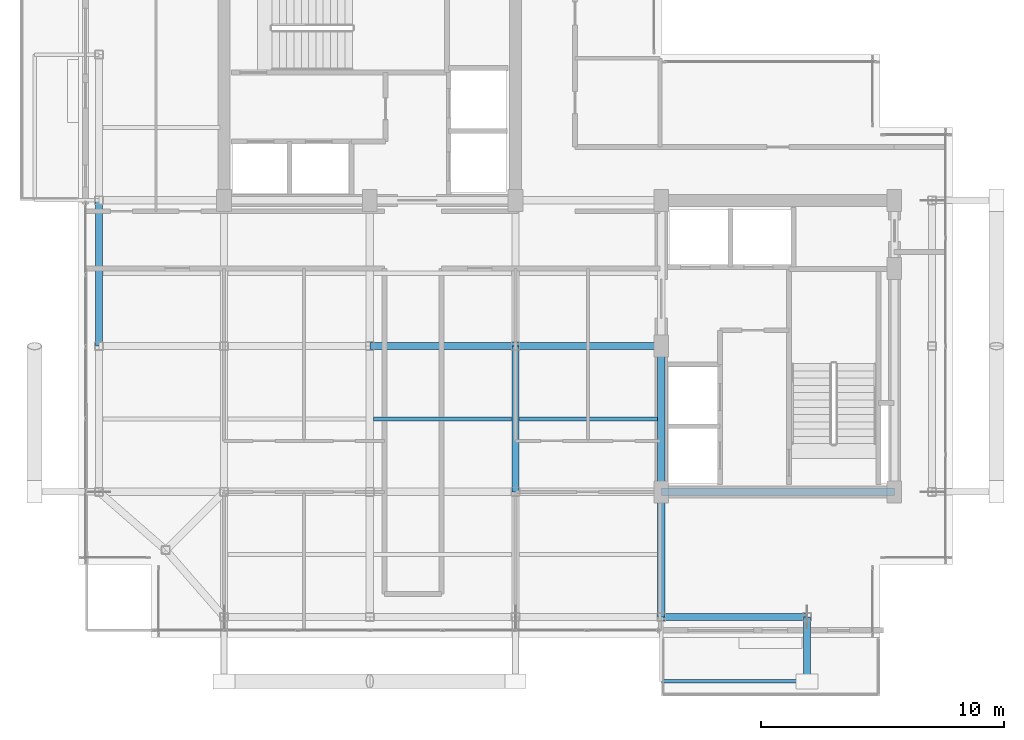
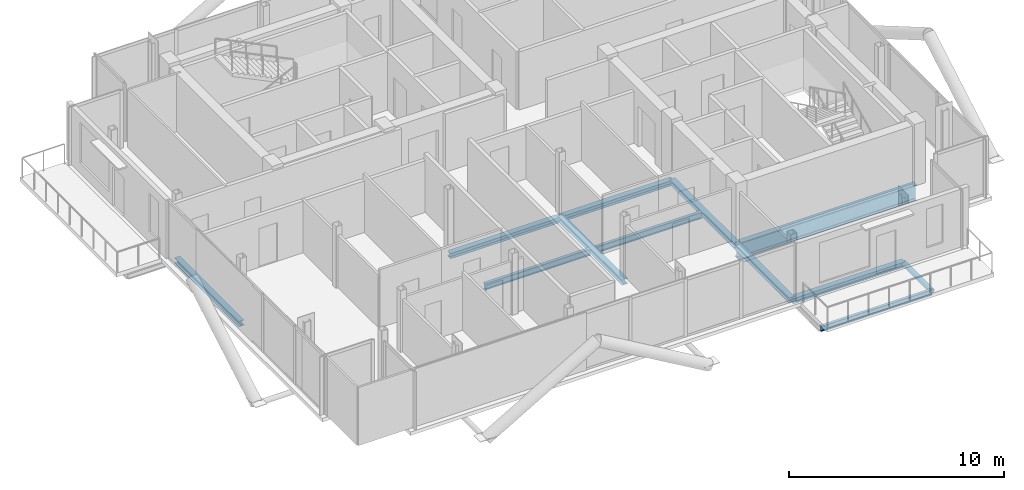
# One storey, part 6 of 19: 11 beams, 1 member.
"""IFC4 building model written with IfcOpenShell, lengths in metres."""

from ifc_helpers import new_model, si_unit, direction, frame, origin, origin_2d, place, context, subcontext, project, spatial, hollow_circle, i_section, extrude, material, material_profile, profile_set, type_object, element, save


model = new_model("IFC4")

# Units and contexts
model_context = context("Model", 3, precision=1e-05, world=origin(), true_north=direction((0.0, 1.0)))
body_context = subcontext(model_context, "Body", "Model", "MODEL_VIEW")
ifc_project = project(units=[si_unit("LENGTHUNIT", "METRE"), si_unit("AREAUNIT", "SQUARE_METRE"), si_unit("VOLUMEUNIT", "CUBIC_METRE"), si_unit("PLANEANGLEUNIT", "RADIAN"), si_unit("MASSUNIT", "GRAM", prefix="KILO"), si_unit("THERMODYNAMICTEMPERATUREUNIT", "KELVIN"), si_unit("POWERUNIT", "WATT")], contexts=[model_context])

# Site, building, storey
site_placement = place(None, origin())
site = spatial("IfcSite", under=ifc_project, at=site_placement, CompositionType="ELEMENT")
building_placement = place(site_placement, origin())
building = spatial("IfcBuilding", under=site, at=building_placement, Name="Svarakhadi Broadcast Tower", CompositionType="ELEMENT")
storey_placement = place(building_placement, frame((0.0, 0.0, 257.199951171875)))
storey = spatial("IfcBuildingStorey", under=building, at=storey_placement, Name="L64", CompositionType="ELEMENT", Elevation=257.199951171875)

# Beams
ifc_material_1 = material(Name="Steel S355J2 (IS 2062 E350C)", Category="steel")
ifc_material_profile_1 = material_profile(ifc_material_1, i_section(OverallWidth=0.169921875, OverallDepth=0.360107421875, WebThickness=0.008056640625, FlangeThickness=0.0126953125, FilletRadius=0.01806640625, at=origin_2d()), Name="NPB 360x170x57")
ifc_profile_set_1 = profile_set([ifc_material_profile_1], Name="Steel S355J2 (IS 2062 E350C)")
beam_type_1 = type_object("IfcBeamType", Name="Beam_NPB360", PredefinedType="BEAM", material=ifc_profile_set_1)
for number, where, z_axis, x_axis, name in (
    (1, (12.159912109375, 9.0, -0.3798828125), (1.0, 0.0, 0.0), (0.0, 1.0, 0.0), "L64 Secondary Composite Beam SB008"),
    (2, (18.159912109375, 9.0, -0.3798828125), (1.0, 0.0, 0.0), (0.0, 1.0, 0.0), "L64 Secondary Composite Beam SB011"),
):
    element("IfcBeam", number, at=place(storey_placement, frame(where, z_axis=z_axis, x_axis=x_axis)), inside=storey, type_object=beam_type_1, Name=name, PredefinedType="BEAM", context=body_context, shape_type="SweptSolid", body=[
        extrude(i_section(OverallWidth=0.169921875, OverallDepth=0.360107421875, WebThickness=0.008056640625, FlangeThickness=0.0126953125, FilletRadius=0.01806640625, at=origin_2d()), origin(), (0.0, 0.0, 1.0), 5.68017578125),
    ])

# Member
ifc_material_2 = material(Name="Steel S460ML (IS 2062 E450BR)", Category="steel")
ifc_material_profile_2 = material_profile(ifc_material_2, hollow_circle(Radius=0.136474609375, WallThickness=0.012451171875, at=origin_2d()), Name="CHS 273x12.5")
ifc_profile_set_2 = profile_set([ifc_material_profile_2], Name="Steel S460ML (IS 2062 E450BR)")
member_type = type_object("IfcMemberType", Name="Exo_Radial_Strut_Z3", PredefinedType="STRUT", material=ifc_profile_set_2)
member_placement = place(storey_placement, frame((30.0, -1.800048828125, -0.33642578125), z_axis=(0.0, 1.0, 0.0), x_axis=(-1.0, 0.0, 0.0)))
element("IfcMember", 3, at=member_placement, inside=storey, type_object=member_type, Name="L64 Exoskeleton Radial Tie Strut S03", PredefinedType="STRUT", context=body_context, shape_type="SweptSolid", body=[
    extrude(hollow_circle(Radius=0.136474609375, WallThickness=0.012451171875, at=origin_2d()), origin(), (0.0, 0.0, 1.0), 2.650146484375),
])

# Beams
ifc_material_profile_3 = material_profile(ifc_material_1, i_section(OverallWidth=0.300048828125, OverallDepth=0.300048828125, WebThickness=0.010986328125, FlangeThickness=0.01904296875, FilletRadius=0.027099609375, at=origin_2d()), Name="WPB 300x300x117")
ifc_profile_set_3 = profile_set([ifc_material_profile_3], Name="Steel S355J2 (IS 2062 E350C)")
beam_type_2 = type_object("IfcBeamType", Name="Girder_WPB300", PredefinedType="USERDEFINED", material=ifc_profile_set_3)
for number, where, z_axis, x_axis, name in (
    (4, (24.0, 0.85009765625, -0.349853515625), (1.0, 0.0, 0.0), (0.0, 1.0, 0.0), "L64 Primary E-W Girder G007"),
    (5, (12.0, 12.0, -0.349853515625), (1.0, 0.0, 0.0), (0.0, 1.0, 0.0), "L64 Primary E-W Girder G015"),
    (6, (18.0, 12.0, -0.349853515625), (1.0, 0.0, 0.0), (0.0, 1.0, 0.0), "L64 Primary E-W Girder G016"),
    (7, (0.85009765625, 12.0, -0.349853515625), (0.0, 1.0, 0.0), (-1.0, 0.0, 0.0), "L64 Primary N-S Girder G027"),
    (8, (18.0, 6.0, -0.349853515625), (0.0, 1.0, 0.0), (-1.0, 0.0, 0.0), "L64 Primary N-S Girder G037"),
):
    element("IfcBeam", number, at=place(storey_placement, frame(where, z_axis=z_axis, x_axis=x_axis)), inside=storey, type_object=beam_type_2, Name=name, ObjectType="GIRDER", PredefinedType="USERDEFINED", context=body_context, shape_type="SweptSolid", body=[
        extrude(i_section(OverallWidth=0.300048828125, OverallDepth=0.300048828125, WebThickness=0.010986328125, FlangeThickness=0.01904296875, FilletRadius=0.027099609375, at=origin_2d()), origin(), (0.0, 0.0, 1.0), 6.0),
    ])
beam_1_placement = place(storey_placement, frame((24.0, 0.85009765625, -0.349853515625), z_axis=(0.0, 1.0, 0.0), x_axis=(-1.0, 0.0, 0.0)))
element("IfcBeam", 9, at=beam_1_placement, inside=storey, type_object=beam_type_2, Name="L64 Primary N-S Girder G040", ObjectType="GIRDER", PredefinedType="USERDEFINED", context=body_context, shape_type="SweptSolid", body=[
    extrude(i_section(OverallWidth=0.300048828125, OverallDepth=0.300048828125, WebThickness=0.010986328125, FlangeThickness=0.01904296875, FilletRadius=0.027099609375, at=origin_2d()), origin(), (0.0, 0.0, 1.0), 5.14990234375),
])
beam_2_placement = place(storey_placement, frame((24.0, 6.0, -0.349853515625), z_axis=(0.0, 1.0, 0.0), x_axis=(-1.0, 0.0, 0.0)))
element("IfcBeam", 10, at=beam_2_placement, inside=storey, type_object=beam_type_2, Name="L64 Primary N-S Girder G041", ObjectType="GIRDER", PredefinedType="USERDEFINED", context=body_context, shape_type="SweptSolid", body=[
    extrude(i_section(OverallWidth=0.300048828125, OverallDepth=0.300048828125, WebThickness=0.010986328125, FlangeThickness=0.01904296875, FilletRadius=0.027099609375, at=origin_2d()), origin(), (0.0, 0.0, 1.0), 6.0),
])
ifc_material_profile_4 = material_profile(ifc_material_2, i_section(OverallWidth=0.300048828125, OverallDepth=0.89990234375, WebThickness=0.0185546875, FlangeThickness=0.034912109375, FilletRadius=0.030029296875, at=origin_2d()), Name="WPB 900x300x291")
ifc_profile_set_4 = profile_set([ifc_material_profile_4], Name="Steel S460ML (IS 2062 E450BR)")
beam_type_3 = type_object("IfcBeamType", Name="Girder_WPB900", PredefinedType="USERDEFINED", material=ifc_profile_set_4)
beam_3_placement = place(storey_placement, frame((24.0, 6.0, -0.64990234375), z_axis=(1.0, 0.0, 0.0), x_axis=(0.0, 1.0, 0.0)))
element("IfcBeam", 11, at=beam_3_placement, inside=storey, type_object=beam_type_3, Name="L64 Primary E-W Girder G012", ObjectType="GIRDER", PredefinedType="USERDEFINED", context=body_context, shape_type="SweptSolid", body=[
    extrude(i_section(OverallWidth=0.300048828125, OverallDepth=0.89990234375, WebThickness=0.0185546875, FlangeThickness=0.034912109375, FilletRadius=0.030029296875, at=origin_2d()), origin(), (0.0, 0.0, 1.0), 9.60009765625),
])
ifc_material_profile_5 = material_profile(ifc_material_1, i_section(OverallWidth=0.14990234375, OverallDepth=0.300048828125, WebThickness=0.007080078125, FlangeThickness=0.0107421875, FilletRadius=0.014892578125, at=origin_2d()), Name="NPB 300x150x37")
ifc_profile_set_5 = profile_set([ifc_material_profile_5], Name="Steel S355J2 (IS 2062 E350C)")
beam_type_4 = type_object("IfcBeamType", Name="Spandrel_NPB300", PredefinedType="SPANDREL", material=ifc_profile_set_5)
beam_4_placement = place(storey_placement, frame((24.0, -1.800048828125, -0.375), z_axis=(1.0, 0.0, 0.0), x_axis=(0.0, 1.0, 0.0)))
element("IfcBeam", 12, at=beam_4_placement, inside=storey, type_object=beam_type_4, Name="L64 Balcony Outer Spandrel 1F", PredefinedType="SPANDREL", context=body_context, shape_type="SweptSolid", body=[
    extrude(i_section(OverallWidth=0.14990234375, OverallDepth=0.300048828125, WebThickness=0.007080078125, FlangeThickness=0.0107421875, FilletRadius=0.014892578125, at=origin_2d()), origin(), (0.0, 0.0, 1.0), 6.0),
])

save(model, "model.ifc")
